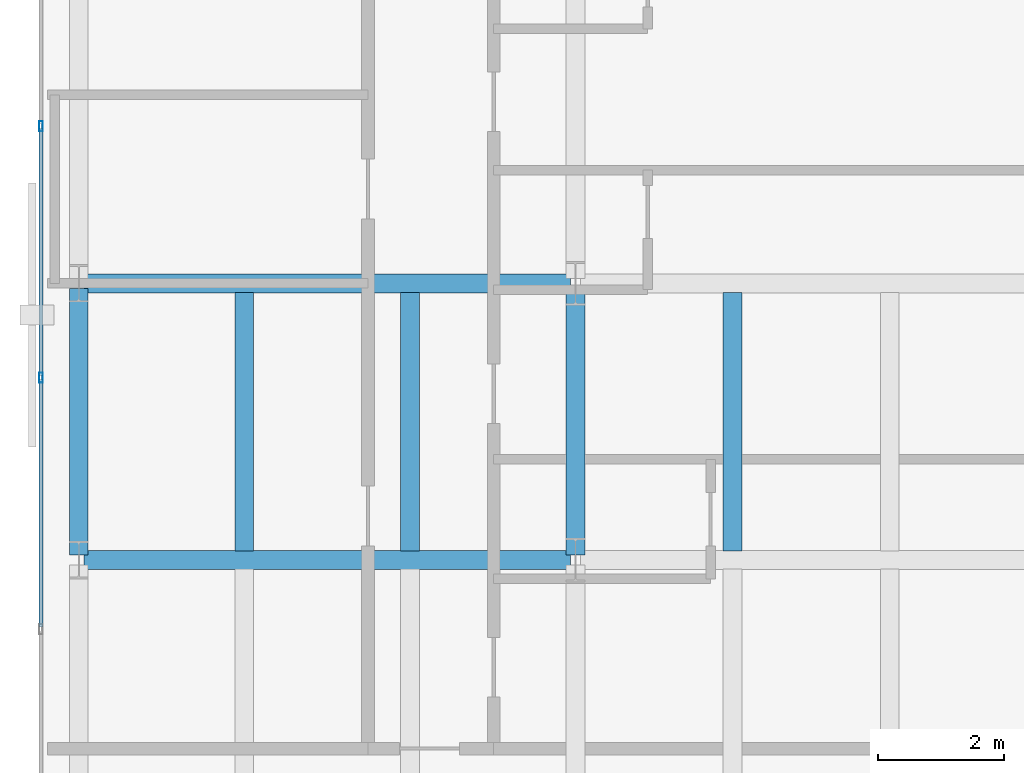
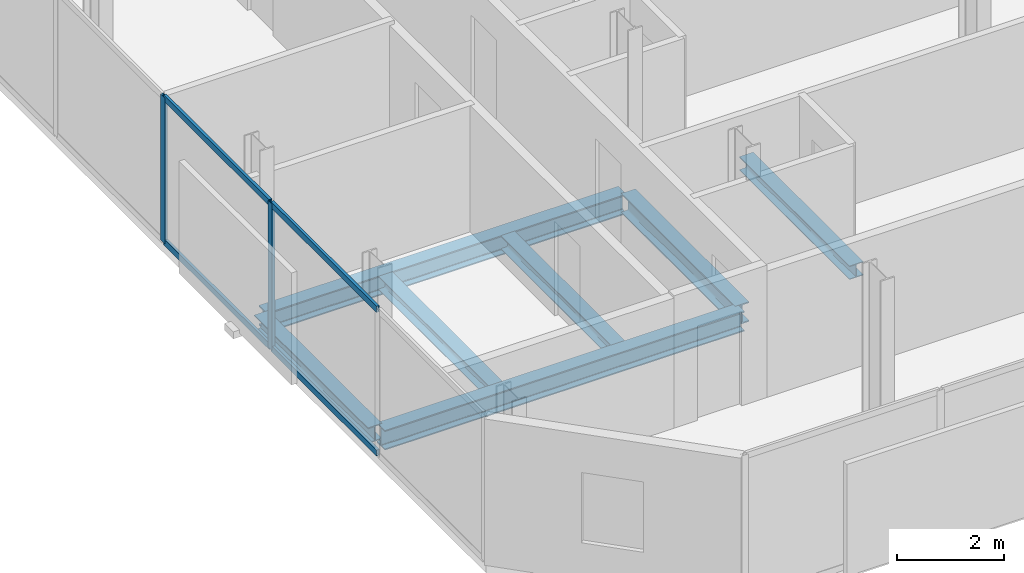
# One storey, part 5 of 32: 7 beams, 6 members, 1 element without a shape of its own.
"""IFC4 building model written with IfcOpenShell, lengths in metres."""

from ifc_helpers import new_model, si_unit, direction, frame, origin, origin_2d, place, context, subcontext, project, spatial, hollow_rectangle, i_section, extrude, material, layer, layer_set, material_profile, profile_set, type_object, element, aggregate, save


model = new_model("IFC4")

# Units and contexts
model_context = context("Model", 3, precision=1e-05, world=origin(), true_north=direction((0.0, 1.0)))
body_context = subcontext(model_context, "Body", "Model", "MODEL_VIEW")
ifc_project = project(units=[si_unit("LENGTHUNIT", "METRE"), si_unit("AREAUNIT", "SQUARE_METRE"), si_unit("VOLUMEUNIT", "CUBIC_METRE"), si_unit("PLANEANGLEUNIT", "RADIAN"), si_unit("MASSUNIT", "GRAM", prefix="KILO")], contexts=[model_context])

# Site, building, storey
site_placement = place(None, origin())
site = spatial("IfcSite", under=ifc_project, at=site_placement, CompositionType="ELEMENT")
building_placement = place(site_placement, origin())
building = spatial("IfcBuilding", under=site, at=building_placement, Name="Catumbela Crestline Tower", CompositionType="ELEMENT")
storey_placement = place(building_placement, frame((0.0, 0.0, 126.0)))
storey = spatial("IfcBuildingStorey", under=building, at=storey_placement, Name="L32", CompositionType="ELEMENT", Elevation=126.0)

# Beams
ifc_material_1 = material(Name="Structural steel S355J2", Category="steel")
ifc_material_profile_1 = material_profile(ifc_material_1, i_section(OverallWidth=0.3, OverallDepth=0.45, WebThickness=0.014, FlangeThickness=0.026, FilletRadius=0.027, at=origin_2d()), Name="HEB 450")
ifc_profile_set_1 = profile_set([ifc_material_profile_1], Name="Structural steel S355J2")
beam_type_1 = type_object("IfcBeamType", Name="BG-HEB450", PredefinedType="BEAM", material=ifc_profile_set_1)
for number, where, z_axis, x_axis, name in (
    (1, (0.68, 13.6, -0.485), (1.0, 0.0, 0.0), (0.0, 1.0, 0.0), "L32 Beam BM-L32-WEW46"),
    (2, (0.68, 18.0, -0.485), (1.0, 0.0, 0.0), (0.0, 1.0, 0.0), "L32 Beam BM-L32-WEW49"),
):
    element("IfcBeam", number, at=place(storey_placement, frame(where, z_axis=z_axis, x_axis=x_axis)), inside=storey, type_object=beam_type_1, Name=name, PredefinedType="BEAM", context=body_context, shape_type="SweptSolid", body=[
        extrude(i_section(OverallWidth=0.3, OverallDepth=0.45, WebThickness=0.014, FlangeThickness=0.026, FilletRadius=0.027, at=origin_2d()), origin(), (0.0, 0.0, 1.0), 7.74),
    ])
beam_1_placement = place(storey_placement, frame((8.5, 13.68, -0.485), z_axis=(0.0, 1.0, 0.0), x_axis=(-1.0, 0.0, 0.0)))
element("IfcBeam", 3, at=beam_1_placement, inside=storey, type_object=beam_type_1, Name="L32 Beam BM-L32-WNS56", PredefinedType="BEAM", context=body_context, shape_type="SweptSolid", body=[
    extrude(i_section(OverallWidth=0.3, OverallDepth=0.45, WebThickness=0.014, FlangeThickness=0.026, FilletRadius=0.027, at=origin_2d()), origin(), (0.0, 0.0, 1.0), 4.24),
])
ifc_material_profile_2 = material_profile(ifc_material_1, i_section(OverallWidth=0.3, OverallDepth=0.31, WebThickness=0.009, FlangeThickness=0.0155, FilletRadius=0.027, at=origin_2d()), Name="HEA 320")
ifc_profile_set_2 = profile_set([ifc_material_profile_2], Name="Structural steel S355J2")
beam_type_2 = type_object("IfcBeamType", Name="BJ-HEA320", PredefinedType="JOIST", material=ifc_profile_set_2)
for number, where, z_axis, x_axis, name in (
    (4, (3.233, 13.747, -0.415), (0.0, 1.0, 0.0), (-1.0, 0.0, 0.0), "L32 Joist JS-L32-WG69"),
    (5, (5.867, 13.747, -0.415), (0.0, 1.0, 0.0), (-1.0, 0.0, 0.0), "L32 Joist JS-L32-WG70"),
    (6, (11.0, 13.747, -0.415), (0.0, 1.0, 0.0), (-1.0, 0.0, 0.0), "L32 Joist JS-L32-WG71"),
):
    element("IfcBeam", number, at=place(storey_placement, frame(where, z_axis=z_axis, x_axis=x_axis)), inside=storey, type_object=beam_type_2, Name=name, PredefinedType="JOIST", context=body_context, shape_type="SweptSolid", body=[
        extrude(i_section(OverallWidth=0.3, OverallDepth=0.31, WebThickness=0.009, FlangeThickness=0.0155, FilletRadius=0.027, at=origin_2d()), origin(), (0.0, 0.0, 1.0), 4.106),
    ])

# Curtain wall, members
ifc_material_2 = material(Name="Aluminium alloy AW-6060-T66", Category="aluminium")
ifc_layer = layer(ifc_material_2, 0.18, Name="Aluminium alloy AW-6060-T66")
ifc_layer_set = layer_set([ifc_layer], Name="Aluminium alloy AW-6060-T66")
curtain_wall_type = type_object("IfcCurtainWallType", Name="CWU-Z2", PredefinedType="USERDEFINED", material=ifc_layer_set)
curtain_wall_placement = place(storey_placement, origin())
curtain_wall = element("IfcCurtainWall", 7, at=curtain_wall_placement, inside=storey, type_object=curtain_wall_type, Name="L32 Unitised Curtain Wall CW-L32-E9S1", ObjectType="UNITISED", PredefinedType="USERDEFINED")
ifc_material_profile_3 = material_profile(ifc_material_2, hollow_rectangle(XDim=0.06, YDim=0.16, WallThickness=0.004, at=origin_2d()), Name="ALU 160x60x4")
ifc_profile_set_3 = profile_set([ifc_material_profile_3], Name="Aluminium alloy AW-6060-T66")
member_type_1 = type_object("IfcMemberType", Name="MUL-160X60", PredefinedType="MULLION", material=ifc_profile_set_3)
member_1_placement = place(storey_placement, frame((0.0, 20.5, 0.0), z_axis=(0.0, 0.0, 1.0), x_axis=(1.0, 0.0, 0.0)))
member_1 = element("IfcMember", 8, at=member_1_placement, type_object=member_type_1, Name="CWU-Z2 mullion 7", PredefinedType="MULLION", context=body_context, shape_type="SweptSolid", body=[
    extrude(hollow_rectangle(XDim=0.06, YDim=0.16, WallThickness=0.004, at=origin_2d()), origin(), (0.0, 0.0, 1.0), 3.33),
])
member_2_placement = place(storey_placement, frame((0.0, 16.5, 0.0), z_axis=(0.0, 0.0, 1.0), x_axis=(1.0, 0.0, 0.0)))
member_2 = element("IfcMember", 9, at=member_2_placement, type_object=member_type_1, Name="CWU-Z2 mullion 8", PredefinedType="MULLION", context=body_context, shape_type="SweptSolid", body=[
    extrude(hollow_rectangle(XDim=0.06, YDim=0.16, WallThickness=0.004, at=origin_2d()), origin(), (0.0, 0.0, 1.0), 3.33),
])

# Beam
ifc_material_profile_4 = material_profile(ifc_material_1, i_section(OverallWidth=0.3, OverallDepth=0.36, WebThickness=0.0125, FlangeThickness=0.0225, FilletRadius=0.027, at=origin_2d()), Name="HEB 360")
ifc_profile_set_4 = profile_set([ifc_material_profile_4], Name="Structural steel S355J2")
beam_type_3 = type_object("IfcBeamType", Name="BS-HEB360", PredefinedType="SPANDREL", material=ifc_profile_set_4)
beam_2_placement = place(storey_placement, frame((0.6, 13.68, -0.44), z_axis=(0.0, 1.0, 0.0), x_axis=(-1.0, 0.0, 0.0)))
element("IfcBeam", 10, at=beam_2_placement, inside=storey, type_object=beam_type_3, Name="L32 Spandrel SP-L32-WNS53", PredefinedType="SPANDREL", context=body_context, shape_type="SweptSolid", body=[
    extrude(i_section(OverallWidth=0.3, OverallDepth=0.36, WebThickness=0.0125, FlangeThickness=0.0225, FilletRadius=0.027, at=origin_2d()), origin(), (0.0, 0.0, 1.0), 4.24),
])

# Member
ifc_material_profile_5 = material_profile(ifc_material_2, hollow_rectangle(XDim=0.06, YDim=0.14, WallThickness=0.004, at=origin_2d()), Name="ALU 140x60x4")
ifc_profile_set_5 = profile_set([ifc_material_profile_5], Name="Aluminium alloy AW-6060-T66")
member_type_2 = type_object("IfcMemberType", Name="TRN-140X60", PredefinedType="USERDEFINED", material=ifc_profile_set_5)
member_3_placement = place(storey_placement, frame((0.0, 20.4675, 0.03), z_axis=(0.0, -1.0, 0.0), x_axis=(1.0, 0.0, 0.0)))
member_3 = element("IfcMember", 11, at=member_3_placement, type_object=member_type_2, Name="CWU-Z2 transom 7.1", ObjectType="TRANSOM", PredefinedType="USERDEFINED", context=body_context, shape_type="SweptSolid", body=[
    extrude(hollow_rectangle(XDim=0.06, YDim=0.14, WallThickness=0.004, at=origin_2d()), origin(), (0.0, 0.0, 1.0), 3.935),
])

member_4_placement = place(storey_placement, frame((0.0, 20.4675, 3.3), z_axis=(0.0, -1.0, 0.0), x_axis=(1.0, 0.0, 0.0)))
member_4 = element("IfcMember", 12, at=member_4_placement, type_object=member_type_2, Name="CWU-Z2 transom 7.2", ObjectType="TRANSOM", PredefinedType="USERDEFINED", context=body_context, shape_type="SweptSolid", body=[
    extrude(hollow_rectangle(XDim=0.06, YDim=0.14, WallThickness=0.004, at=origin_2d()), origin(), (0.0, 0.0, 1.0), 3.935),
])

member_5_placement = place(storey_placement, frame((0.0, 16.4675, 0.03), z_axis=(0.0, -1.0, 0.0), x_axis=(1.0, 0.0, 0.0)))
member_5 = element("IfcMember", 13, at=member_5_placement, type_object=member_type_2, Name="CWU-Z2 transom 8.1", ObjectType="TRANSOM", PredefinedType="USERDEFINED", context=body_context, shape_type="SweptSolid", body=[
    extrude(hollow_rectangle(XDim=0.06, YDim=0.14, WallThickness=0.004, at=origin_2d()), origin(), (0.0, 0.0, 1.0), 3.935),
])

member_6_placement = place(storey_placement, frame((0.0, 16.4675, 3.3), z_axis=(0.0, -1.0, 0.0), x_axis=(1.0, 0.0, 0.0)))
member_6 = element("IfcMember", 14, at=member_6_placement, type_object=member_type_2, Name="CWU-Z2 transom 8.2", ObjectType="TRANSOM", PredefinedType="USERDEFINED", context=body_context, shape_type="SweptSolid", body=[
    extrude(hollow_rectangle(XDim=0.06, YDim=0.14, WallThickness=0.004, at=origin_2d()), origin(), (0.0, 0.0, 1.0), 3.935),
])

aggregate(curtain_wall, [member_1, member_2, member_3, member_4, member_5, member_6])

save(model, "model.ifc")
